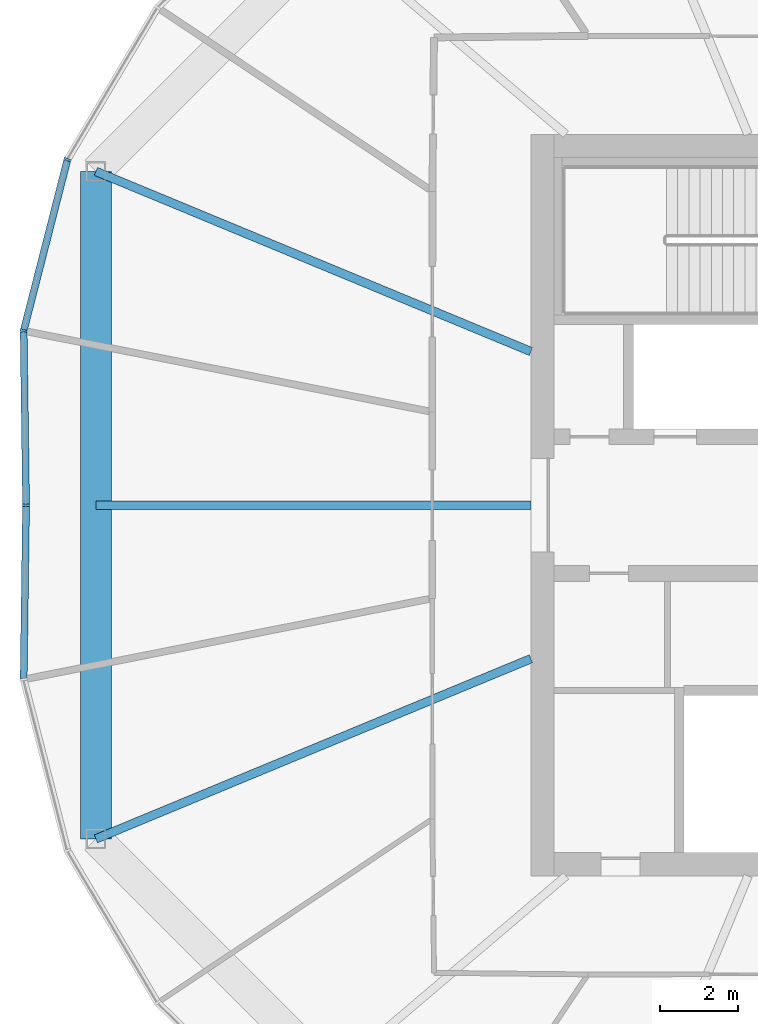
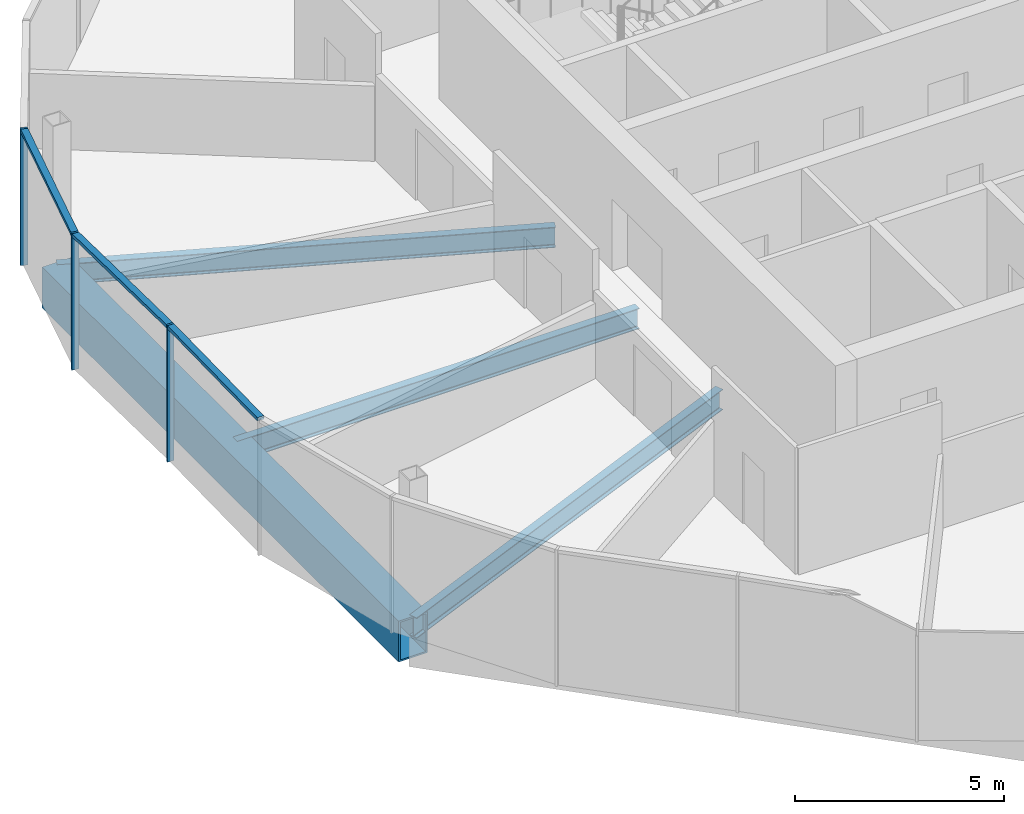
# One storey, part 4 of 26: 6 members, 4 beams, 2 elements without a shape of their own.
"""IFC4 building model written with IfcOpenShell, lengths in metres."""

from ifc_helpers import new_model, si_unit, direction, frame, origin, origin_2d, place, context, subcontext, project, spatial, rectangle, hollow_rectangle, i_section, extrude, material, material_profile, profile_set, type_object, element, aggregate, save


model = new_model("IFC4")

# Units and contexts
model_context = context("Model", 3, precision=1e-05, world=origin(), true_north=direction((0.0, 1.0)))
body_context = subcontext(model_context, "Body", "Model", "MODEL_VIEW")
ifc_project = project(units=[si_unit("LENGTHUNIT", "METRE"), si_unit("AREAUNIT", "SQUARE_METRE"), si_unit("VOLUMEUNIT", "CUBIC_METRE"), si_unit("PLANEANGLEUNIT", "RADIAN"), si_unit("MASSUNIT", "GRAM", prefix="KILO")], contexts=[model_context])

# Site, building, storey
site_placement = place(None, origin())
site = spatial("IfcSite", under=ifc_project, at=site_placement, CompositionType="ELEMENT")
building_placement = place(site_placement, origin())
building = spatial("IfcBuilding", under=site, at=building_placement, Name="Ogive Gate Towers", CompositionType="ELEMENT")
storey_placement = place(building_placement, frame((0.0, 0.0, 156.800048828125)))
storey = spatial("IfcBuildingStorey", under=building, at=storey_placement, Name="L37", CompositionType="ELEMENT", Elevation=156.800048828125)

# Beams
ifc_material_1 = material(Name="Steel SM460", Category="steel")
ifc_material_profile_1 = material_profile(ifc_material_1, hollow_rectangle(XDim=0.800048828125, YDim=1.199951171875, WallThickness=0.050048828125, at=origin_2d()), Name="BX 1200x800x50")
ifc_profile_set_1 = profile_set([ifc_material_profile_1], Name="Steel SM460")
beam_type_1 = type_object("IfcBeamType", Name="Edge girder BX 1200x800x50", PredefinedType="BEAM", material=ifc_profile_set_1)
beam_1_placement = place(storey_placement, frame((-56.639404296875, 8.549072265625, -0.900146484375), z_axis=(0.0, -1.0, 0.0), x_axis=(1.0, 0.0, 0.0)))
element("IfcBeam", 1, at=beam_1_placement, inside=storey, type_object=beam_type_1, Name="T1/L37/SBM024", PredefinedType="BEAM", context=body_context, shape_type="SweptSolid", body=[
    extrude(hollow_rectangle(XDim=0.800048828125, YDim=1.199951171875, WallThickness=0.050048828125, at=origin_2d()), origin(), (0.0, 0.0, 1.0), 17.09814453125),
])
ifc_material_2 = material(Name="Steel SM355", Category="steel")
ifc_material_profile_2 = material_profile(ifc_material_2, i_section(OverallWidth=0.219970703125, OverallDepth=0.60009765625, WebThickness=0.011962890625, FlangeThickness=0.01904296875, FilletRadius=0.02392578125, at=origin_2d()), Name="IPE 600")
ifc_profile_set_2 = profile_set([ifc_material_profile_2], Name="Steel SM355")
beam_type_2 = type_object("IfcBeamType", Name="Radial floor beam IPE 600", PredefinedType="BEAM", material=ifc_profile_set_2)
for number, where, z_axis, x_axis, name in (
    (2, (-45.5, -3.93505859375, -0.60009765625), (-0.923881839184, -0.382677863518, 0.0), (0.382677863518, -0.923881839184, 0.0), "T1/L37/SBM001"),
    (3, (-45.5, 3.93505859375, -0.60009765625), (-0.923881839184, 0.382677863518, 0.0), (-0.382677863518, -0.923881839184, 0.0), "T1/L37/SBM015"),
):
    element("IfcBeam", number, at=place(storey_placement, frame(where, z_axis=z_axis, x_axis=x_axis)), inside=storey, type_object=beam_type_2, Name=name, PredefinedType="BEAM", context=body_context, shape_type="SweptSolid", body=[
        extrude(i_section(OverallWidth=0.219970703125, OverallDepth=0.60009765625, WebThickness=0.011962890625, FlangeThickness=0.01904296875, FilletRadius=0.02392578125, at=origin_2d()), origin(), (0.0, 0.0, 1.0), 12.05712890625),
    ])
beam_2_placement = place(storey_placement, frame((-45.5, 0.0, -0.60009765625), z_axis=(-1.0, 0.0, 0.0), x_axis=(0.0, -1.0, 0.0)))
element("IfcBeam", 4, at=beam_2_placement, inside=storey, type_object=beam_type_2, Name="T1/L37/SBM016", PredefinedType="BEAM", context=body_context, shape_type="SweptSolid", body=[
    extrude(i_section(OverallWidth=0.219970703125, OverallDepth=0.60009765625, WebThickness=0.011962890625, FlangeThickness=0.01904296875, FilletRadius=0.02392578125, at=origin_2d()), origin(), (0.0, 0.0, 1.0), 11.139404296875),
])

# Curtain wall, members
ifc_material_3 = material(Name="Pale metal aluminium", Category="aluminium")
curtain_wall_type = type_object("IfcCurtainWallType", Name="Tower unitised wall, high zone", PredefinedType="NOTDEFINED", material=ifc_material_3)
curtain_wall_1_placement = place(storey_placement, origin())
curtain_wall_1 = element("IfcCurtainWall", 5, at=curtain_wall_1_placement, inside=storey, type_object=curtain_wall_type, Name="CW2 T1 ECW04", PredefinedType="NOTDEFINED")
ifc_material_profile_3 = material_profile(ifc_material_3, rectangle(XDim=0.179931640625, YDim=0.06005859375, at=origin_2d()), Name="60 x 180 aluminium box")
ifc_profile_set_3 = profile_set([ifc_material_profile_3], Name="Pale metal aluminium")
member_type_1 = type_object("IfcMemberType", Name="Tower unitised wall, high zone mullion 60 x 180", PredefinedType="MULLION", material=ifc_profile_set_3)
member_1_placement = place(storey_placement, frame((-57.370361328125, 8.851806640625, -0.300048828125), z_axis=(0.0, 0.0, 1.0), x_axis=(-0.923879532511, 0.382683432365, 0.0)))
member_1 = element("IfcMember", 6, at=member_1_placement, type_object=member_type_1, Name="CW2 mullion", PredefinedType="MULLION", context=body_context, shape_type="SweptSolid", body=[
    extrude(rectangle(XDim=0.179931640625, YDim=0.06005859375, at=origin_2d()), origin(), (0.0, 0.0, 1.0), 4.0),
])
member_2_placement = place(storey_placement, frame((-58.491455078125, 4.466552734375, -0.300048828125), z_axis=(0.0, 0.0, 1.0), x_axis=(-0.9930129585, 0.118005356875, 0.0)))
member_2 = element("IfcMember", 7, at=member_2_placement, type_object=member_type_1, Name="CW2 mullion", PredefinedType="MULLION", context=body_context, shape_type="SweptSolid", body=[
    extrude(rectangle(XDim=0.179931640625, YDim=0.06005859375, at=origin_2d()), origin(), (0.0, 0.0, 1.0), 4.0),
])
member_3_placement = place(storey_placement, frame((-58.429931640625, 0.0, -0.300048828125), z_axis=(0.0, 0.0, 1.0), x_axis=(-0.999905905764, -0.013717857647, 0.0)))
member_3 = element("IfcMember", 8, at=member_3_placement, type_object=member_type_1, Name="CW2 mullion", PredefinedType="MULLION", context=body_context, shape_type="SweptSolid", body=[
    extrude(rectangle(XDim=0.179931640625, YDim=0.06005859375, at=origin_2d()), origin(), (0.0, 0.0, 1.0), 4.0),
])
ifc_material_profile_4 = material_profile(ifc_material_3, rectangle(XDim=0.179931640625, YDim=0.10009765625, at=origin_2d()), Name="100 x 180 aluminium box")
ifc_profile_set_4 = profile_set([ifc_material_profile_4], Name="Pale metal aluminium")
member_type_2 = type_object("IfcMemberType", Name="Tower unitised wall, high zone transom 100 x 180", PredefinedType="USERDEFINED", material=ifc_profile_set_4)
member_4_placement = place(storey_placement, frame((-57.377197265625, 8.82421875, 3.64990234375), z_axis=(-0.247686581529, -0.968840212486, 0.0), x_axis=(0.968840212486, -0.247686581529, 0.0)))
member_4 = element("IfcMember", 9, at=member_4_placement, type_object=member_type_2, Name="CW2 transom", ObjectType="TRANSOM", PredefinedType="USERDEFINED", context=body_context, shape_type="SweptSolid", body=[
    extrude(rectangle(XDim=0.179931640625, YDim=0.10009765625, at=origin_2d()), origin(), (0.0, 0.0, 1.0), 4.468994140625),
])
member_5_placement = place(storey_placement, frame((-58.490966796875, 4.43798828125, 3.64990234375), z_axis=(0.013734511655, -0.999905677146, 0.0), x_axis=(0.999905677146, 0.013734511655, 0.0)))
member_5 = element("IfcMember", 10, at=member_5_placement, type_object=member_type_2, Name="CW2 transom", ObjectType="TRANSOM", PredefinedType="USERDEFINED", context=body_context, shape_type="SweptSolid", body=[
    extrude(rectangle(XDim=0.179931640625, YDim=0.10009765625, at=origin_2d()), origin(), (0.0, 0.0, 1.0), 4.408447265625),
])
aggregate(curtain_wall_1, [member_1, member_2, member_4, member_3, member_5])

# Curtain wall, member
curtain_wall_2_placement = place(storey_placement, origin())
curtain_wall_2 = element("IfcCurtainWall", 11, at=curtain_wall_2_placement, inside=storey, type_object=curtain_wall_type, Name="CW2 T1 ECW05", PredefinedType="NOTDEFINED")
member_6_placement = place(storey_placement, frame((-58.430419921875, -0.030029296875, 3.64990234375), z_axis=(-0.013734511655, -0.999905677146, 0.0), x_axis=(0.999905677146, -0.013734511655, 0.0)))
member_6 = element("IfcMember", 12, at=member_6_placement, type_object=member_type_2, Name="CW2 transom", ObjectType="TRANSOM", PredefinedType="USERDEFINED", context=body_context, shape_type="SweptSolid", body=[
    extrude(rectangle(XDim=0.179931640625, YDim=0.10009765625, at=origin_2d()), origin(), (0.0, 0.0, 1.0), 4.408447265625),
])
aggregate(curtain_wall_2, [member_6])

save(model, "model.ifc")
